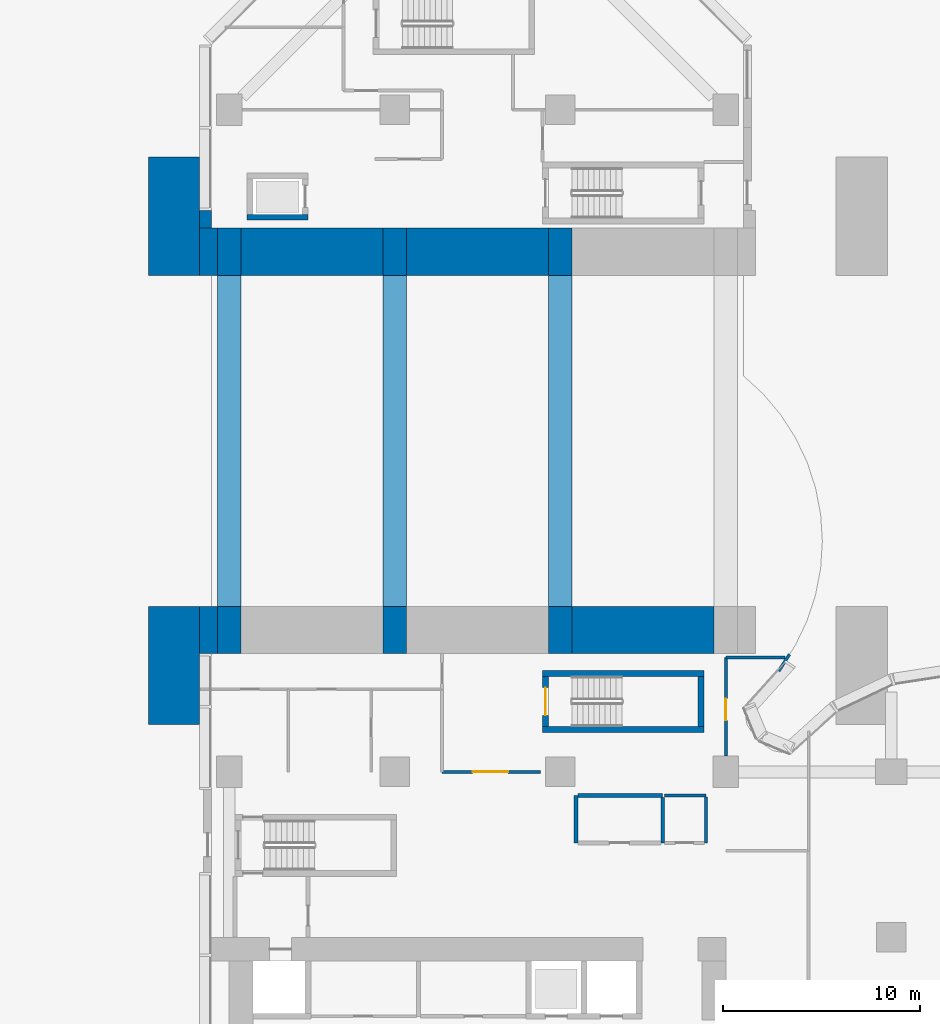
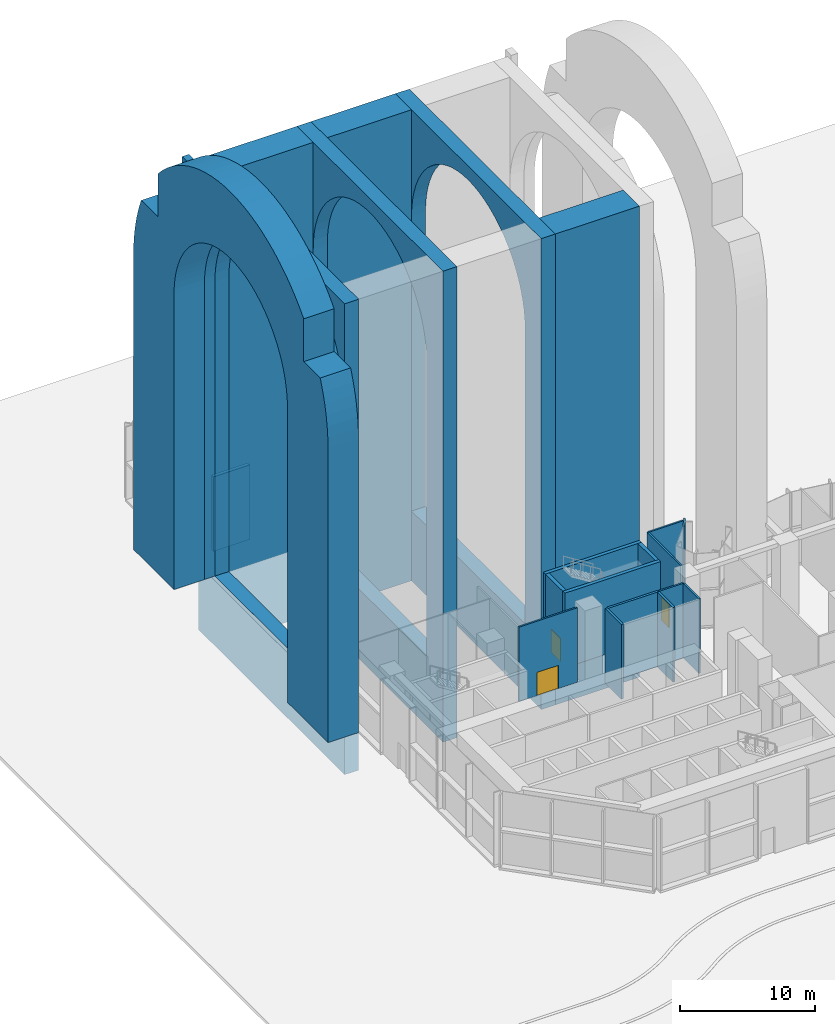
# One storey, part 10 of 21: 23 walls, 3 doors, 3 openings.
"""IFC4 building model written with IfcOpenShell, lengths in metres."""

from ifc_helpers import new_model, si_unit, direction, frame, frame_2d, origin, place, context, subcontext, project, spatial, polyline, rectangle, outline, extrude, material, layer, layer_set, material_profile, profile_set, type_object, element, fill, save


model = new_model("IFC4")

# Units and contexts
model_context = context("Model", 3, precision=1e-05, world=origin(), true_north=direction((0.0, 1.0)))
body_context = subcontext(model_context, "Body", "Model", "MODEL_VIEW")
ifc_project = project(units=[si_unit("LENGTHUNIT", "METRE"), si_unit("AREAUNIT", "SQUARE_METRE"), si_unit("VOLUMEUNIT", "CUBIC_METRE"), si_unit("PLANEANGLEUNIT", "RADIAN"), si_unit("MASSUNIT", "GRAM", prefix="KILO")], contexts=[model_context])

# Site, building, storey
site_placement = place(None, origin())
site = spatial("IfcSite", under=ifc_project, at=site_placement, CompositionType="ELEMENT")
building_placement = place(site_placement, origin())
building = spatial("IfcBuilding", under=site, at=building_placement, Name="Brevane Broadcast Tower", CompositionType="ELEMENT")
storey_placement = place(building_placement, origin())
storey = spatial("IfcBuildingStorey", under=building, at=storey_placement, Name="L00", CompositionType="ELEMENT", Elevation=0.0)

# Walls
ifc_material_1 = material(Name="Precast concrete C40/50", Category="concrete")
ifc_layer_1 = layer(ifc_material_1, 0.60009765625)
ifc_layer_set_1 = layer_set([ifc_layer_1], Name="ARCH JAMB INFILL WALL 600")
wall_type_1 = type_object("IfcWallType", Name="ARCH JAMB INFILL WALL 600", PredefinedType="SOLIDWALL", material=ifc_layer_set_1)
wall_1_placement = place(storey_placement, frame((-1.199951171875, 52.800048828125, 0.0), z_axis=(0.0, 0.0, 1.0), x_axis=(0.0, 1.0, 0.0)))
element("IfcWall", 1, at=wall_1_placement, inside=storey, type_object=wall_type_1, Name="Arch jamb infill W", PredefinedType="SOLIDWALL", context=body_context, shape_type="SweptSolid", body=[
    extrude(rectangle(XDim=0.89990234375, YDim=0.60009765625, at=frame_2d((0.449951171875, 0.0))), origin(), (0.0, 0.0, 1.0), 36.22998046875),
])
ifc_material_2 = material(Name="Concrete C80/95", Category="concrete")
ifc_layer_2 = layer(ifc_material_2, 2.39990234375)
ifc_layer_set_2 = layer_set([ifc_layer_2], Name="ARCH PIER WALL 2400 C80/95")
wall_type_2 = type_object("IfcWallType", Name="ARCH PIER WALL 2400 C80/95", PredefinedType="SOLIDWALL", material=ifc_layer_set_2)
wall_2_placement = place(storey_placement, frame((17.39990234375, 32.39990234375, -6.300048828125), z_axis=(0.0, 0.0, 1.0), x_axis=(1.0, 0.0, 0.0)))
element("IfcWall", 2, at=wall_2_placement, inside=storey, type_object=wall_type_2, Name="AP1 3", PredefinedType="SOLIDWALL", context=body_context, shape_type="SweptSolid", body=[
    extrude(rectangle(XDim=7.2001953125, YDim=2.39990234375, at=frame_2d((3.60009765625, 0.0))), origin(), (0.0, 0.0, 1.0), 42.550048828125),
])
for number, where, z_axis, x_axis, name in (
    (3, (0.60009765625, 51.60009765625, -6.300048828125), (0.0, 0.0, 1.0), (1.0, 0.0, 0.0), "AP1 4"),
    (4, (9.0, 51.60009765625, -6.300048828125), (0.0, 0.0, 1.0), (1.0, 0.0, 0.0), "AP1 5"),
):
    element("IfcWall", number, at=place(storey_placement, frame(where, z_axis=z_axis, x_axis=x_axis)), inside=storey, type_object=wall_type_2, Name=name, PredefinedType="SOLIDWALL", context=body_context, shape_type="SweptSolid", body=[
        extrude(rectangle(XDim=7.199951171875, YDim=2.39990234375, at=frame_2d((3.60009765625, 0.0))), origin(), (0.0, 0.0, 1.0), 42.550048828125),
    ])
ifc_material_profile_1 = material_profile(ifc_material_2, outline(polyline([(-10.800048828125, -6.300048828125), (10.800048828125, -6.300048828125), (10.800048828125, 36.25), (-10.800048828125, 36.25), (-10.800048828125, -6.300048828125)]), holes=[polyline([(-8.39990234375, 0.0), (-8.39990234375, 26.60009765625), (-8.359619140625, 27.42333984375), (-8.238525390625, 28.23876953125), (-8.038330078125, 29.038330078125), (-7.760498046875, 29.814453125), (-7.408203125, 30.559814453125), (-6.984375, 31.266845703125), (-6.493408203125, 31.928955078125), (-5.939697265625, 32.539794921875), (-5.328857421875, 33.09326171875), (-4.666748046875, 33.584228515625), (-3.959716796875, 34.008056640625), (-3.214599609375, 34.360595703125), (-2.4384765625, 34.63818359375), (-1.638671875, 34.838623046875), (-0.8232421875, 34.95947265625), (0.0, 35.0), (0.8232421875, 34.95947265625), (1.638671875, 34.838623046875), (2.4384765625, 34.63818359375), (3.214599609375, 34.360595703125), (3.959716796875, 34.008056640625), (4.666748046875, 33.584228515625), (5.328857421875, 33.09326171875), (5.939697265625, 32.539794921875), (6.493408203125, 31.928955078125), (6.984375, 31.266845703125), (7.408203125, 30.559814453125), (7.760498046875, 29.814453125), (8.038330078125, 29.038330078125), (8.238525390625, 28.23876953125), (8.359619140625, 27.42333984375), (8.39990234375, 26.60009765625), (8.39990234375, 0.0), (-8.39990234375, 0.0)])]), Name="ARCH RIB")
ifc_profile_set_1 = profile_set([ifc_material_profile_1], Name="Concrete C80/95")
wall_type_3 = type_object("IfcWallType", Name="ARCH RIB WALL 1200 C80/95", PredefinedType="SOLIDWALL", material=ifc_profile_set_1)
wall_3_placement = place(storey_placement, frame((-0.60009765625, 42.0, 0.0), z_axis=(1.0, 0.0, 0.0), x_axis=(0.0, 1.0, 0.0)))
element("IfcWall", 5, at=wall_3_placement, inside=storey, type_object=wall_type_3, Name="AR1 1", PredefinedType="SOLIDWALL", context=body_context, shape_type="SweptSolid", body=[
    extrude(outline(polyline([(-10.800048828125, -6.300048828125), (10.800048828125, -6.300048828125), (10.800048828125, 36.25), (-10.800048828125, 36.25), (-10.800048828125, -6.300048828125)]), holes=[polyline([(-8.39990234375, 0.0), (-8.39990234375, 26.60009765625), (-8.359619140625, 27.42333984375), (-8.238525390625, 28.23876953125), (-8.038330078125, 29.038330078125), (-7.760498046875, 29.814453125), (-7.408203125, 30.559814453125), (-6.984375, 31.266845703125), (-6.493408203125, 31.928955078125), (-5.939697265625, 32.539794921875), (-5.328857421875, 33.09326171875), (-4.666748046875, 33.584228515625), (-3.959716796875, 34.008056640625), (-3.214599609375, 34.360595703125), (-2.4384765625, 34.63818359375), (-1.638671875, 34.838623046875), (-0.8232421875, 34.95947265625), (0.0, 35.0), (0.8232421875, 34.95947265625), (1.638671875, 34.838623046875), (2.4384765625, 34.63818359375), (3.214599609375, 34.360595703125), (3.959716796875, 34.008056640625), (4.666748046875, 33.584228515625), (5.328857421875, 33.09326171875), (5.939697265625, 32.539794921875), (6.493408203125, 31.928955078125), (6.984375, 31.266845703125), (7.408203125, 30.559814453125), (7.760498046875, 29.814453125), (8.038330078125, 29.038330078125), (8.238525390625, 28.23876953125), (8.359619140625, 27.42333984375), (8.39990234375, 26.60009765625), (8.39990234375, 0.0), (-8.39990234375, 0.0)])]), origin(), (0.0, 0.0, 1.0), 1.2001953125),
])
for number, where, z_axis, x_axis, name in (
    (6, (7.800048828125, 42.0, 0.0), (1.0, 0.0, 0.0), (0.0, 1.0, 0.0), "AR1 2"),
    (7, (16.199951171875, 42.0, 0.0), (1.0, 0.0, 0.0), (0.0, 1.0, 0.0), "AR1 3"),
):
    element("IfcWall", number, at=place(storey_placement, frame(where, z_axis=z_axis, x_axis=x_axis)), inside=storey, type_object=wall_type_3, Name=name, PredefinedType="SOLIDWALL", context=body_context, shape_type="SweptSolid", body=[
        extrude(outline(polyline([(-10.800048828125, -6.300048828125), (10.800048828125, -6.300048828125), (10.800048828125, 36.25), (-10.800048828125, 36.25), (-10.800048828125, -6.300048828125)]), holes=[polyline([(-8.39990234375, 0.0), (-8.39990234375, 26.60009765625), (-8.359619140625, 27.42333984375), (-8.238525390625, 28.23876953125), (-8.038330078125, 29.038330078125), (-7.760498046875, 29.814453125), (-7.408203125, 30.559814453125), (-6.984375, 31.266845703125), (-6.493408203125, 31.928955078125), (-5.939697265625, 32.539794921875), (-5.328857421875, 33.09326171875), (-4.666748046875, 33.584228515625), (-3.959716796875, 34.008056640625), (-3.214599609375, 34.360595703125), (-2.4384765625, 34.63818359375), (-1.638671875, 34.838623046875), (-0.8232421875, 34.95947265625), (0.0, 35.0), (0.8232421875, 34.95947265625), (1.638671875, 34.838623046875), (2.4384765625, 34.63818359375), (3.214599609375, 34.360595703125), (3.959716796875, 34.008056640625), (4.666748046875, 33.584228515625), (5.328857421875, 33.09326171875), (5.939697265625, 32.539794921875), (6.493408203125, 31.928955078125), (6.984375, 31.266845703125), (7.408203125, 30.559814453125), (7.760498046875, 29.814453125), (8.038330078125, 29.038330078125), (8.238525390625, 28.23876953125), (8.359619140625, 27.42333984375), (8.39990234375, 26.60009765625), (8.39990234375, 0.0), (-8.39990234375, 0.0)])]), origin(), (0.0, 0.0, 1.0), 1.199951171875),
    ])
ifc_material_profile_2 = material_profile(ifc_material_1, outline(polyline([(13.303955078125, 32.110595703125), (13.6357421875, 31.228759765625), (13.9091796875, 30.326904296875), (14.123291015625, 29.4091796875), (14.27685546875, 28.4794921875), (14.369140625, 27.541748046875), (14.39990234375, 26.60009765625), (14.39990234375, 0.0), (8.39990234375, 0.0), (8.39990234375, 26.60009765625), (8.382080078125, 27.1494140625), (8.328125, 27.6962890625), (8.238525390625, 28.23876953125), (8.11376953125, 28.774169921875), (7.9541015625, 29.300048828125), (7.760498046875, 29.814453125), (7.53369140625, 30.315185546875), (7.274658203125, 30.800048828125), (6.984375, 31.266845703125), (6.664306640625, 31.713623046875), (6.3154296875, 32.138427734375), (5.939697265625, 32.539794921875), (5.53857421875, 32.915283203125), (5.113525390625, 33.26416015625), (4.666748046875, 33.584228515625), (4.199951171875, 33.87451171875), (3.715087890625, 34.1337890625), (3.214599609375, 34.360595703125), (2.7001953125, 34.55419921875), (2.174072265625, 34.7138671875), (1.638916015625, 34.838623046875), (1.096435546875, 34.927978515625), (0.54931640625, 34.98193359375), (0.0, 35.0), (-0.54931640625, 34.98193359375), (-1.096435546875, 34.927978515625), (-1.638916015625, 34.838623046875), (-2.174072265625, 34.7138671875), (-2.7001953125, 34.55419921875), (-3.214599609375, 34.360595703125), (-3.715087890625, 34.1337890625), (-4.199951171875, 33.87451171875), (-4.666748046875, 33.584228515625), (-5.113525390625, 33.26416015625), (-5.53857421875, 32.915283203125), (-5.939697265625, 32.539794921875), (-6.3154296875, 32.138427734375), (-6.664306640625, 31.713623046875), (-6.984375, 31.266845703125), (-7.274658203125, 30.800048828125), (-7.53369140625, 30.315185546875), (-7.760498046875, 29.814453125), (-7.9541015625, 29.300048828125), (-8.11376953125, 28.774169921875), (-8.238525390625, 28.23876953125), (-8.328125, 27.6962890625), (-8.382080078125, 27.1494140625), (-8.39990234375, 26.60009765625), (-8.39990234375, 0.0), (-14.39990234375, 0.0), (-14.39990234375, 26.60009765625), (-14.369140625, 27.541748046875), (-14.27685546875, 28.4794921875), (-14.123291015625, 29.4091796875), (-13.9091796875, 30.326904296875), (-13.6357421875, 31.228759765625), (-13.303955078125, 32.110595703125), (-13.24072265625, 32.25), (-10.800048828125, 32.25), (-10.800048828125, 36.122802734375), (-10.182373046875, 36.7822265625), (-9.49462890625, 37.426513671875), (-8.76611328125, 38.0244140625), (-8.000244140625, 38.5732421875), (-7.199951171875, 39.07080078125), (-6.368896484375, 39.514892578125), (-5.510498046875, 39.90380859375), (-4.628662109375, 40.23583984375), (-3.72705078125, 40.50927734375), (-2.809326171875, 40.723388671875), (-1.879638671875, 40.876708984375), (-0.94189453125, 40.96923828125), (0.0, 41.0), (0.94189453125, 40.96923828125), (1.879638671875, 40.876708984375), (2.809326171875, 40.723388671875), (3.72705078125, 40.50927734375), (4.628662109375, 40.23583984375), (5.510498046875, 39.90380859375), (6.368896484375, 39.514892578125), (7.199951171875, 39.07080078125), (8.000244140625, 38.5732421875), (8.76611328125, 38.0244140625), (9.49462890625, 37.426513671875), (10.182373046875, 36.7822265625), (10.800048828125, 36.122802734375), (10.800048828125, 32.25), (13.24072265625, 32.25), (13.303955078125, 32.110595703125)])), Name="ARCH SURROUND")
ifc_profile_set_2 = profile_set([ifc_material_profile_2], Name="Precast concrete C40/50")
wall_type_4 = type_object("IfcWallType", Name="ARCH SURROUND CLADDING WALL out 1 2600", PredefinedType="SOLIDWALL", material=ifc_profile_set_2)
wall_4_placement = place(storey_placement, frame((-4.10009765625, 42.0, 0.0), z_axis=(1.0, 0.0, 0.0), x_axis=(0.0, 1.0, 0.0)))
element("IfcWall", 8, at=wall_4_placement, inside=storey, type_object=wall_type_4, Name="Arch surround W", PredefinedType="SOLIDWALL", context=body_context, shape_type="SweptSolid", body=[
    extrude(outline(polyline([(13.303955078125, 32.110595703125), (13.6357421875, 31.228759765625), (13.9091796875, 30.326904296875), (14.123291015625, 29.4091796875), (14.27685546875, 28.4794921875), (14.369140625, 27.541748046875), (14.39990234375, 26.60009765625), (14.39990234375, 0.0), (8.39990234375, 0.0), (8.39990234375, 26.60009765625), (8.382080078125, 27.1494140625), (8.328125, 27.6962890625), (8.238525390625, 28.23876953125), (8.11376953125, 28.774169921875), (7.9541015625, 29.300048828125), (7.760498046875, 29.814453125), (7.53369140625, 30.315185546875), (7.274658203125, 30.800048828125), (6.984375, 31.266845703125), (6.664306640625, 31.713623046875), (6.3154296875, 32.138427734375), (5.939697265625, 32.539794921875), (5.53857421875, 32.915283203125), (5.113525390625, 33.26416015625), (4.666748046875, 33.584228515625), (4.199951171875, 33.87451171875), (3.715087890625, 34.1337890625), (3.214599609375, 34.360595703125), (2.7001953125, 34.55419921875), (2.174072265625, 34.7138671875), (1.638916015625, 34.838623046875), (1.096435546875, 34.927978515625), (0.54931640625, 34.98193359375), (0.0, 35.0), (-0.54931640625, 34.98193359375), (-1.096435546875, 34.927978515625), (-1.638916015625, 34.838623046875), (-2.174072265625, 34.7138671875), (-2.7001953125, 34.55419921875), (-3.214599609375, 34.360595703125), (-3.715087890625, 34.1337890625), (-4.199951171875, 33.87451171875), (-4.666748046875, 33.584228515625), (-5.113525390625, 33.26416015625), (-5.53857421875, 32.915283203125), (-5.939697265625, 32.539794921875), (-6.3154296875, 32.138427734375), (-6.664306640625, 31.713623046875), (-6.984375, 31.266845703125), (-7.274658203125, 30.800048828125), (-7.53369140625, 30.315185546875), (-7.760498046875, 29.814453125), (-7.9541015625, 29.300048828125), (-8.11376953125, 28.774169921875), (-8.238525390625, 28.23876953125), (-8.328125, 27.6962890625), (-8.382080078125, 27.1494140625), (-8.39990234375, 26.60009765625), (-8.39990234375, 0.0), (-14.39990234375, 0.0), (-14.39990234375, 26.60009765625), (-14.369140625, 27.541748046875), (-14.27685546875, 28.4794921875), (-14.123291015625, 29.4091796875), (-13.9091796875, 30.326904296875), (-13.6357421875, 31.228759765625), (-13.303955078125, 32.110595703125), (-13.24072265625, 32.25), (-10.800048828125, 32.25), (-10.800048828125, 36.122802734375), (-10.182373046875, 36.7822265625), (-9.49462890625, 37.426513671875), (-8.76611328125, 38.0244140625), (-8.000244140625, 38.5732421875), (-7.199951171875, 39.07080078125), (-6.368896484375, 39.514892578125), (-5.510498046875, 39.90380859375), (-4.628662109375, 40.23583984375), (-3.72705078125, 40.50927734375), (-2.809326171875, 40.723388671875), (-1.879638671875, 40.876708984375), (-0.94189453125, 40.96923828125), (0.0, 41.0), (0.94189453125, 40.96923828125), (1.879638671875, 40.876708984375), (2.809326171875, 40.723388671875), (3.72705078125, 40.50927734375), (4.628662109375, 40.23583984375), (5.510498046875, 39.90380859375), (6.368896484375, 39.514892578125), (7.199951171875, 39.07080078125), (8.000244140625, 38.5732421875), (8.76611328125, 38.0244140625), (9.49462890625, 37.426513671875), (10.182373046875, 36.7822265625), (10.800048828125, 36.122802734375), (10.800048828125, 32.25), (13.24072265625, 32.25), (13.303955078125, 32.110595703125)])), origin(), (0.0, 0.0, 1.0), 2.60009765625),
])
ifc_material_profile_3 = material_profile(ifc_material_1, outline(polyline([(5.39990234375, 35.953125), (6.000244140625, 35.579833984375), (6.57470703125, 35.168212890625), (7.120849609375, 34.719970703125), (7.63671875, 34.23681640625), (8.119873046875, 33.720947265625), (8.568115234375, 33.174560546875), (8.97998046875, 32.60009765625), (9.35302734375, 32.0), (9.686279296875, 31.376708984375), (9.977783203125, 30.73291015625), (10.226806640625, 30.071533203125), (10.431884765625, 29.395263671875), (10.592529296875, 28.70703125), (10.70751953125, 28.009765625), (10.77685546875, 27.306396484375), (10.800048828125, 26.60009765625), (10.800048828125, 0.0), (8.39990234375, 0.0), (8.39990234375, 26.60009765625), (8.382080078125, 27.1494140625), (8.328125, 27.6962890625), (8.238525390625, 28.23876953125), (8.11376953125, 28.774169921875), (7.9541015625, 29.300048828125), (7.760498046875, 29.814453125), (7.53369140625, 30.315185546875), (7.274658203125, 30.800048828125), (6.984375, 31.266845703125), (6.664306640625, 31.713623046875), (6.3154296875, 32.138427734375), (5.939697265625, 32.539794921875), (5.53857421875, 32.915283203125), (5.113525390625, 33.26416015625), (4.666748046875, 33.584228515625), (4.199951171875, 33.87451171875), (3.715087890625, 34.1337890625), (3.214599609375, 34.360595703125), (2.7001953125, 34.55419921875), (2.174072265625, 34.7138671875), (1.638916015625, 34.838623046875), (1.096435546875, 34.927978515625), (0.54931640625, 34.98193359375), (0.0, 35.0), (-0.54931640625, 34.98193359375), (-1.096435546875, 34.927978515625), (-1.638916015625, 34.838623046875), (-2.174072265625, 34.7138671875), (-2.7001953125, 34.55419921875), (-3.214599609375, 34.360595703125), (-3.715087890625, 34.1337890625), (-4.199951171875, 33.87451171875), (-4.666748046875, 33.584228515625), (-5.113525390625, 33.26416015625), (-5.53857421875, 32.915283203125), (-5.939697265625, 32.539794921875), (-6.3154296875, 32.138427734375), (-6.664306640625, 31.713623046875), (-6.984375, 31.266845703125), (-7.274658203125, 30.800048828125), (-7.53369140625, 30.315185546875), (-7.760498046875, 29.814453125), (-7.9541015625, 29.300048828125), (-8.11376953125, 28.774169921875), (-8.238525390625, 28.23876953125), (-8.328125, 27.6962890625), (-8.382080078125, 27.1494140625), (-8.39990234375, 26.60009765625), (-8.39990234375, 0.0), (-10.800048828125, 0.0), (-10.800048828125, 26.60009765625), (-10.77685546875, 27.306396484375), (-10.70751953125, 28.009765625), (-10.592529296875, 28.70703125), (-10.431884765625, 29.395263671875), (-10.226806640625, 30.071533203125), (-9.977783203125, 30.73291015625), (-9.686279296875, 31.376708984375), (-9.35302734375, 32.0), (-8.97998046875, 32.60009765625), (-8.568115234375, 33.174560546875), (-8.119873046875, 33.720947265625), (-7.63671875, 34.23681640625), (-7.120849609375, 34.719970703125), (-6.57470703125, 35.168212890625), (-6.000244140625, 35.579833984375), (-5.39990234375, 35.953125), (-4.844482421875, 36.25), (4.844482421875, 36.25), (5.39990234375, 35.953125)])), Name="ARCH SURROUND")
ifc_profile_set_3 = profile_set([ifc_material_profile_3], Name="Precast concrete C40/50")
wall_type_5 = type_object("IfcWallType", Name="ARCH SURROUND CLADDING WALL reveal 1 900", PredefinedType="SOLIDWALL", material=ifc_profile_set_3)
wall_5_placement = place(storey_placement, frame((-1.5, 42.0, 0.0), z_axis=(1.0, 0.0, 0.0), x_axis=(0.0, 1.0, 0.0)))
element("IfcWall", 9, at=wall_5_placement, inside=storey, type_object=wall_type_5, Name="Arch surround W", PredefinedType="SOLIDWALL", context=body_context, shape_type="SweptSolid", body=[
    extrude(outline(polyline([(5.39990234375, 35.953125), (6.000244140625, 35.579833984375), (6.57470703125, 35.168212890625), (7.120849609375, 34.719970703125), (7.63671875, 34.23681640625), (8.119873046875, 33.720947265625), (8.568115234375, 33.174560546875), (8.97998046875, 32.60009765625), (9.35302734375, 32.0), (9.686279296875, 31.376708984375), (9.977783203125, 30.73291015625), (10.226806640625, 30.071533203125), (10.431884765625, 29.395263671875), (10.592529296875, 28.70703125), (10.70751953125, 28.009765625), (10.77685546875, 27.306396484375), (10.800048828125, 26.60009765625), (10.800048828125, 0.0), (8.39990234375, 0.0), (8.39990234375, 26.60009765625), (8.382080078125, 27.1494140625), (8.328125, 27.6962890625), (8.238525390625, 28.23876953125), (8.11376953125, 28.774169921875), (7.9541015625, 29.300048828125), (7.760498046875, 29.814453125), (7.53369140625, 30.315185546875), (7.274658203125, 30.800048828125), (6.984375, 31.266845703125), (6.664306640625, 31.713623046875), (6.3154296875, 32.138427734375), (5.939697265625, 32.539794921875), (5.53857421875, 32.915283203125), (5.113525390625, 33.26416015625), (4.666748046875, 33.584228515625), (4.199951171875, 33.87451171875), (3.715087890625, 34.1337890625), (3.214599609375, 34.360595703125), (2.7001953125, 34.55419921875), (2.174072265625, 34.7138671875), (1.638916015625, 34.838623046875), (1.096435546875, 34.927978515625), (0.54931640625, 34.98193359375), (0.0, 35.0), (-0.54931640625, 34.98193359375), (-1.096435546875, 34.927978515625), (-1.638916015625, 34.838623046875), (-2.174072265625, 34.7138671875), (-2.7001953125, 34.55419921875), (-3.214599609375, 34.360595703125), (-3.715087890625, 34.1337890625), (-4.199951171875, 33.87451171875), (-4.666748046875, 33.584228515625), (-5.113525390625, 33.26416015625), (-5.53857421875, 32.915283203125), (-5.939697265625, 32.539794921875), (-6.3154296875, 32.138427734375), (-6.664306640625, 31.713623046875), (-6.984375, 31.266845703125), (-7.274658203125, 30.800048828125), (-7.53369140625, 30.315185546875), (-7.760498046875, 29.814453125), (-7.9541015625, 29.300048828125), (-8.11376953125, 28.774169921875), (-8.238525390625, 28.23876953125), (-8.328125, 27.6962890625), (-8.382080078125, 27.1494140625), (-8.39990234375, 26.60009765625), (-8.39990234375, 0.0), (-10.800048828125, 0.0), (-10.800048828125, 26.60009765625), (-10.77685546875, 27.306396484375), (-10.70751953125, 28.009765625), (-10.592529296875, 28.70703125), (-10.431884765625, 29.395263671875), (-10.226806640625, 30.071533203125), (-9.977783203125, 30.73291015625), (-9.686279296875, 31.376708984375), (-9.35302734375, 32.0), (-8.97998046875, 32.60009765625), (-8.568115234375, 33.174560546875), (-8.119873046875, 33.720947265625), (-7.63671875, 34.23681640625), (-7.120849609375, 34.719970703125), (-6.57470703125, 35.168212890625), (-6.000244140625, 35.579833984375), (-5.39990234375, 35.953125), (-4.844482421875, 36.25), (4.844482421875, 36.25), (5.39990234375, 35.953125)])), origin(), (0.0, 0.0, 1.0), 0.89990234375),
])
ifc_material_3 = material(Name="Gypsum board on steel studs", Category="steel")
ifc_layer_3 = layer(ifc_material_3, 0.14990234375)
ifc_layer_set_3 = layer_set([ifc_layer_3], Name="Core fire partition 150 mm")
wall_type_6 = type_object("IfcWallType", Name="Core fire partition 150 mm", PredefinedType="PARTITIONING", material=ifc_layer_set_3)
wall_6_placement = place(storey_placement, frame((22.10009765625, 24.0, 0.0), z_axis=(0.0, 0.0, 1.0), x_axis=(1.0, 0.0, 0.0)))
element("IfcWall", 10, at=wall_6_placement, inside=storey, type_object=wall_type_6, Name="L00 partition wall P18", PredefinedType="PARTITIONING", context=body_context, shape_type="SweptSolid", body=[
    extrude(rectangle(XDim=2.099853515625, YDim=0.14990234375, at=frame_2d((1.0498046875, 0.0))), origin(), (0.0, 0.0, 1.0), 6.75),
])
wall_7_placement = place(storey_placement, frame((24.199951171875, 23.925048828125, 0.0), z_axis=(0.0, 0.0, 1.0), x_axis=(0.0, -1.0, 0.0)))
element("IfcWall", 11, at=wall_7_placement, inside=storey, type_object=wall_type_6, Name="L00 partition wall P19", PredefinedType="PARTITIONING", context=body_context, shape_type="SweptSolid", body=[
    extrude(rectangle(XDim=2.324951171875, YDim=0.14990234375, at=frame_2d((1.16259765625, 0.0))), origin(), (0.0, 0.0, 1.0), 6.75),
])
ifc_layer_4 = layer(ifc_material_3, 0.199951171875)
ifc_layer_set_4 = layer_set([ifc_layer_4], Name="Core fire partition 200 mm")
wall_type_7 = type_object("IfcWallType", Name="Core fire partition 200 mm", PredefinedType="PARTITIONING", material=ifc_layer_set_4)
wall_8_placement = place(storey_placement, frame((17.60009765625, 21.60009765625, 0.0), z_axis=(0.0, 0.0, 1.0), x_axis=(0.0, 1.0, 0.0)))
element("IfcWall", 12, at=wall_8_placement, inside=storey, type_object=wall_type_7, Name="L00 partition wall P04", PredefinedType="PARTITIONING", context=body_context, shape_type="SweptSolid", body=[
    extrude(rectangle(XDim=2.39990234375, YDim=0.199951171875, at=frame_2d((1.199951171875, 0.0))), origin(), (0.0, 0.0, 1.0), 6.75),
])
wall_9_placement = place(storey_placement, frame((17.699951171875, 24.0, 0.0), z_axis=(0.0, 0.0, 1.0), x_axis=(1.0, 0.0, 0.0)))
element("IfcWall", 13, at=wall_9_placement, inside=storey, type_object=wall_type_7, Name="L00 partition wall P05", PredefinedType="PARTITIONING", context=body_context, shape_type="SweptSolid", body=[
    extrude(rectangle(XDim=4.300048828125, YDim=0.199951171875, at=frame_2d((2.14990234375, 0.0))), origin(), (0.0, 0.0, 1.0), 6.75),
])
wall_10_placement = place(storey_placement, frame((22.0, 23.89990234375, 0.0), z_axis=(0.0, 0.0, 1.0), x_axis=(0.0, -1.0, 0.0)))
element("IfcWall", 14, at=wall_10_placement, inside=storey, type_object=wall_type_7, Name="L00 partition wall P06", PredefinedType="PARTITIONING", context=body_context, shape_type="SweptSolid", body=[
    extrude(rectangle(XDim=2.2998046875, YDim=0.199951171875, at=frame_2d((1.14990234375, 0.0))), origin(), (0.0, 0.0, 1.0), 6.75),
])
ifc_layer_5 = layer(ifc_material_2, 0.300048828125)
ifc_layer_set_5 = layer_set([ifc_layer_5], Name="Core wall 300 mm C80/95")
wall_type_8 = type_object("IfcWallType", Name="Core wall 300 mm C80/95", PredefinedType="SHEAR", material=ifc_layer_set_5)
wall_11_placement = place(storey_placement, frame((0.89990234375, 53.35009765625, 0.0), z_axis=(0.0, 0.0, 1.0), x_axis=(1.0, 0.0, 0.0)))
element("IfcWall", 15, at=wall_11_placement, inside=storey, type_object=wall_type_8, Name="L00 shaft wall PL1-S", PredefinedType="SHEAR", context=body_context, shape_type="SweptSolid", body=[
    extrude(rectangle(XDim=3.10009765625, YDim=0.300048828125, at=frame_2d((1.550048828125, 0.0))), origin(), (0.0, 0.0, 1.0), 6.75),
])
for number, where, z_axis, x_axis, name in (
    (16, (15.89990234375, 27.35009765625, 0.0), (0.0, 0.0, 1.0), (1.0, 0.0, 0.0), "L00 stair wall ST-3-S"),
    (17, (15.89990234375, 30.199951171875, 0.0), (0.0, 0.0, 1.0), (1.0, 0.0, 0.0), "L00 stair wall ST-3-N"),
):
    element("IfcWall", number, at=place(storey_placement, frame(where, z_axis=z_axis, x_axis=x_axis)), inside=storey, type_object=wall_type_8, Name=name, PredefinedType="SHEAR", context=body_context, shape_type="SweptSolid", body=[
        extrude(rectangle(XDim=8.2001953125, YDim=0.300048828125, at=frame_2d((4.10009765625, 0.0))), origin(), (0.0, 0.0, 1.0), 6.75),
    ])

# Wall, opening, door
wall_12_placement = place(storey_placement, frame((16.050048828125, 27.5, 0.0), z_axis=(0.0, 0.0, 1.0), x_axis=(0.0, 1.0, 0.0)))
wall_12 = element("IfcWall", 18, at=wall_12_placement, inside=storey, type_object=wall_type_8, Name="L00 stair wall ST-3-W", PredefinedType="SHEAR", context=body_context, shape_type="SweptSolid", body=[
    extrude(rectangle(XDim=2.550048828125, YDim=0.300048828125, at=frame_2d((1.27490234375, 0.0))), origin(), (0.0, 0.0, 1.0), 6.75),
])
opening_1_placement = place(wall_12_placement, frame((0.574951171875, 0.0, 0.0)))
opening_1 = element("IfcOpeningElement", 19, at=opening_1_placement, cuts=wall_12, Name="Opening L00-K19", PredefinedType="OPENING", context=body_context, shape_type="SweptSolid", body=[
    extrude(rectangle(XDim=1.39990234375, YDim=2.10009765625, at=frame_2d((0.699951171875, 1.050048828125))), frame((0.0, 0.159912109375, 0.0), z_axis=(0.0, -1.0, 0.0), x_axis=(1.0, 0.0, 0.0)), (0.0, 0.0, 1.0), 0.320068359375),
])
ifc_material_4 = material(Name="Steel", Category="steel")
door_type_1 = type_object("IfcDoorType", Name="Stair door 1400 x 2100", OperationType="SINGLE_SWING_LEFT", PredefinedType="DOOR", material=ifc_material_4)
door_1_placement = place(opening_1_placement, origin())
door_1 = element("IfcDoor", 20, at=door_1_placement, inside=storey, type_object=door_type_1, Name="Door L00-K19", OperationType="SINGLE_SWING_RIGHT", OverallHeight=2.10009765625, OverallWidth=1.39990234375, PredefinedType="DOOR", context=body_context, shape_type="SweptSolid", body=[
    extrude(rectangle(XDim=1.39990234375, YDim=2.10009765625, at=frame_2d((0.699951171875, 1.050048828125))), frame((0.0, 0.02490234375, 0.0), z_axis=(0.0, -1.0, 0.0), x_axis=(1.0, 0.0, 0.0)), (0.0, 0.0, 1.0), 0.050048828125),
])
fill(opening_1, door_1)

# Wall
wall_13_placement = place(storey_placement, frame((23.949951171875, 27.5, 0.0), z_axis=(0.0, 0.0, 1.0), x_axis=(0.0, 1.0, 0.0)))
element("IfcWall", 21, at=wall_13_placement, inside=storey, type_object=wall_type_8, Name="L00 stair wall ST-3-E", PredefinedType="SHEAR", context=body_context, shape_type="SweptSolid", body=[
    extrude(rectangle(XDim=2.550048828125, YDim=0.300048828125, at=frame_2d((1.27490234375, 0.0))), origin(), (0.0, 0.0, 1.0), 6.75),
])

# Wall, opening, door
ifc_material_5 = material(Name="Gypsum board partition")
ifc_layer_6 = layer(ifc_material_5, 0.14990234375)
ifc_layer_set_6 = layer_set([ifc_layer_6], Name="PARTITION 150 EI 60")
wall_type_9 = type_object("IfcWallType", Name="PARTITION 150 EI 60", PredefinedType="PARTITIONING", material=ifc_layer_set_6)
wall_14_placement = place(storey_placement, frame((25.199951171875, 31.0, 0.0), z_axis=(0.0, 0.0, 1.0), x_axis=(0.0, -1.0, 0.0)))
wall_14 = element("IfcWall", 22, at=wall_14_placement, inside=storey, type_object=wall_type_9, Name="Partition P0-006", PredefinedType="PARTITIONING", context=body_context, shape_type="SweptSolid", body=[
    extrude(rectangle(XDim=4.97998046875, YDim=0.14990234375, at=frame_2d((2.489990234375, 0.0))), origin(), (0.0, 0.0, 1.0), 6.72998046875),
])
opening_2_placement = place(wall_14_placement, frame((2.080078125, 0.0, 0.0)))
opening_2 = element("IfcOpeningElement", 23, at=opening_2_placement, cuts=wall_14, Name="Opening D01-001", PredefinedType="OPENING", context=body_context, shape_type="SweptSolid", body=[
    extrude(rectangle(XDim=1.10009765625, YDim=2.10009765625, at=frame_2d((0.550048828125, 1.050048828125))), frame((0.0, 0.0849609375, 0.0), z_axis=(0.0, -1.0, 0.0), x_axis=(1.0, 0.0, 0.0)), (0.0, 0.0, 1.0), 0.169921875),
])
ifc_material_6 = material(Name="Fire-rated timber door leaf", Category="wood")
door_type_2 = type_object("IfcDoorType", Name="DOOR SINGLE 1100 FD30S", OperationType="SINGLE_SWING_LEFT", PredefinedType="DOOR", material=ifc_material_6)
door_2_placement = place(opening_2_placement, origin())
door_2 = element("IfcDoor", 24, at=door_2_placement, inside=storey, type_object=door_type_2, Name="Door D01-001", OperationType="SINGLE_SWING_RIGHT", OverallHeight=2.10009765625, OverallWidth=1.10009765625, PredefinedType="DOOR", context=body_context, shape_type="SweptSolid", body=[
    extrude(rectangle(XDim=1.10009765625, YDim=2.10009765625, at=frame_2d((0.550048828125, 1.050048828125))), frame((0.0, 0.02490234375, 0.0), z_axis=(0.0, -1.0, 0.0), x_axis=(1.0, 0.0, 0.0)), (0.0, 0.0, 1.0), 0.050048828125),
])
fill(opening_2, door_2)

# Walls
wall_15_placement = place(storey_placement, frame((25.199951171875, 31.0, 0.0), z_axis=(0.0, 0.0, 1.0), x_axis=(1.0, 0.0, 0.0)))
element("IfcWall", 25, at=wall_15_placement, inside=storey, type_object=wall_type_9, Name="Partition P0-007", PredefinedType="PARTITIONING", context=body_context, shape_type="SweptSolid", body=[
    extrude(rectangle(XDim=2.994140625, YDim=0.14990234375, at=frame_2d((1.4970703125, 0.0))), origin(), (0.0, 0.0, 1.0), 6.72998046875),
])
wall_16_placement = place(storey_placement, frame((28.432373046875, 31.168212890625, 0.0), z_axis=(0.0, 0.0, 1.0), x_axis=(-0.540854867502, -0.841115932734, 0.0)))
element("IfcWall", 26, at=wall_16_placement, inside=storey, type_object=wall_type_9, Name="Partition P0-008", PredefinedType="PARTITIONING", context=body_context, shape_type="SweptSolid", body=[
    extrude(rectangle(XDim=1.0146484375, YDim=0.14990234375, at=frame_2d((0.50732421875, 0.0))), origin(), (0.0, 0.0, 1.0), 6.72998046875),
])

# Wall, opening, door
wall_17_placement = place(storey_placement, frame((15.800048828125, 25.199951171875, 0.0), z_axis=(0.0, 0.0, 1.0), x_axis=(-1.0, 0.0, 0.0)))
wall_17 = element("IfcWall", 27, at=wall_17_placement, inside=storey, type_object=wall_type_9, Name="Partition ST-3 lobby", PredefinedType="PARTITIONING", context=body_context, shape_type="SweptSolid", body=[
    extrude(rectangle(XDim=5.0, YDim=0.14990234375, at=frame_2d((2.5, 0.0))), origin(), (0.0, 0.0, 1.0), 6.72998046875),
])
opening_3_placement = place(wall_17_placement, frame((1.64990234375, 0.0, 0.0)))
opening_3 = element("IfcOpeningElement", 28, at=opening_3_placement, cuts=wall_17, Name="Opening D01-025", PredefinedType="OPENING", context=body_context, shape_type="SweptSolid", body=[
    extrude(rectangle(XDim=1.800048828125, YDim=2.10009765625, at=frame_2d((0.89990234375, 1.050048828125))), frame((0.0, 0.0849609375, 0.0), z_axis=(0.0, -1.0, 0.0), x_axis=(1.0, 0.0, 0.0)), (0.0, 0.0, 1.0), 0.169921875),
])
door_type_3 = type_object("IfcDoorType", Name="DOOR DOUBLE 1800 FD30S", OperationType="DOUBLE_DOOR_SINGLE_SWING", PredefinedType="DOOR", material=ifc_material_6)
door_3_placement = place(opening_3_placement, origin())
door_3 = element("IfcDoor", 29, at=door_3_placement, inside=storey, type_object=door_type_3, Name="Door D01-025", OperationType="DOUBLE_DOOR_SINGLE_SWING", OverallHeight=2.10009765625, OverallWidth=1.800048828125, PredefinedType="DOOR", context=body_context, shape_type="SweptSolid", body=[
    extrude(rectangle(XDim=1.800048828125, YDim=2.10009765625, at=frame_2d((0.89990234375, 1.050048828125))), frame((0.0, 0.02490234375, 0.0), z_axis=(0.0, -1.0, 0.0), x_axis=(1.0, 0.0, 0.0)), (0.0, 0.0, 1.0), 0.050048828125),
])
fill(opening_3, door_3)

save(model, "model.ifc")
